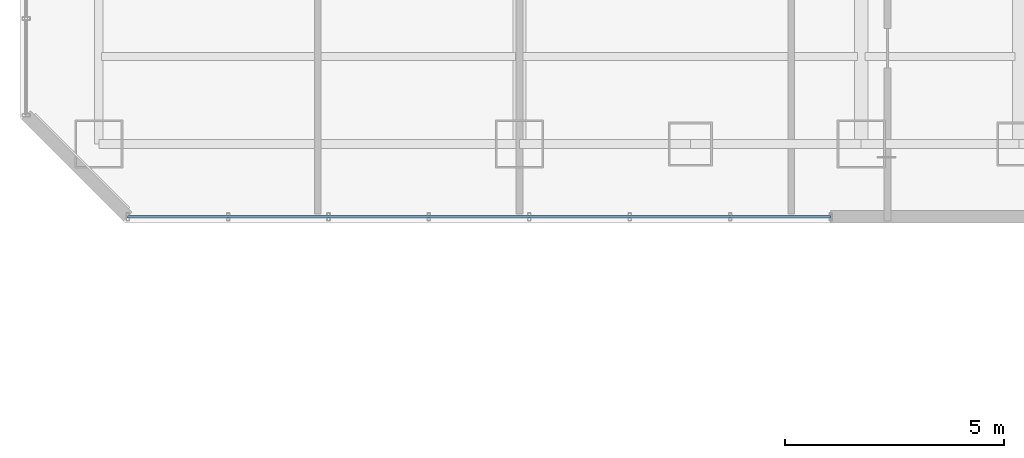
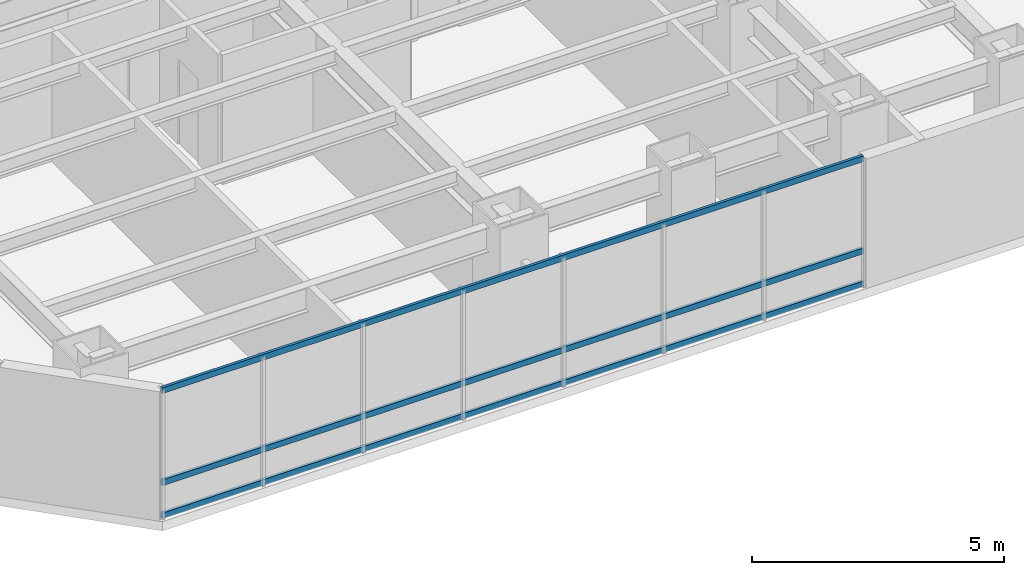
# One storey, part 3 of 37: 3 members, 1 element without a shape of its own.
"""IFC4 building model written with IfcOpenShell, lengths in metres."""

from ifc_helpers import new_model, si_unit, direction, frame, origin, origin_2d, place, context, subcontext, project, spatial, hollow_rectangle, extrude, material, layer, layer_set, material_profile, profile_set, type_object, element, aggregate, save


model = new_model("IFC4")

# Units and contexts
model_context = context("Model", 3, precision=1e-05, world=origin(), true_north=direction((0.0, 1.0)))
body_context = subcontext(model_context, "Body", "Model", "MODEL_VIEW")
ifc_project = project(units=[si_unit("LENGTHUNIT", "METRE"), si_unit("AREAUNIT", "SQUARE_METRE"), si_unit("VOLUMEUNIT", "CUBIC_METRE"), si_unit("PLANEANGLEUNIT", "RADIAN"), si_unit("MASSUNIT", "GRAM", prefix="KILO")], contexts=[model_context])

# Site, building, storey
site_placement = place(None, origin())
site = spatial("IfcSite", under=ifc_project, at=site_placement, CompositionType="ELEMENT")
building_placement = place(site_placement, origin())
building = spatial("IfcBuilding", under=site, at=building_placement, Name="Hatsunagi Terrace Concourse", CompositionType="ELEMENT")
storey_placement = place(building_placement, frame((0.0, 0.0, 50.0)))
storey = spatial("IfcBuildingStorey", under=building, at=storey_placement, Name="L12", CompositionType="ELEMENT", Elevation=50.0)

# Curtain wall, members
ifc_material_1 = material(Name="Anodised Aluminium Alloy 6063-T5", Category="aluminium")
ifc_layer = layer(ifc_material_1, 0.199951171875)
ifc_layer_set = layer_set([ifc_layer], Name="HotelFacade_CW02")
curtain_wall_type = type_object("IfcCurtainWallType", Name="HotelFacade_CW02", PredefinedType="NOTDEFINED", material=ifc_layer_set)
curtain_wall_placement = place(storey_placement, origin())
curtain_wall = element("IfcCurtainWall", 1, at=curtain_wall_placement, inside=storey, type_object=curtain_wall_type, Name="Unitised Curtain Wall CW-02 CW-L12-07", PredefinedType="NOTDEFINED")
ifc_material_2 = material(Name="Anodised Aluminium Alloy 6063-T5", Category="aluminium")
ifc_material_profile = material_profile(ifc_material_2, hollow_rectangle(XDim=0.06494140625, YDim=0.139892578125, WallThickness=0.00390625, at=origin_2d()), Name="ALU-TRN-140x65x4")
ifc_profile_set = profile_set([ifc_material_profile], Name="Anodised Aluminium Alloy 6063-T5")
member_type = type_object("IfcMemberType", Name="CurtainWallTransom_140x65", PredefinedType="USERDEFINED", material=ifc_profile_set)
member_1_placement = place(storey_placement, frame((18.5, 23.5400390625, 0.050048828125), z_axis=(-1.0, 0.0, 0.0), x_axis=(0.0, -1.0, 0.0)))
member_1 = element("IfcMember", 2, at=member_1_placement, type_object=member_type, Name="Curtain Wall Transom TRN-02", ObjectType="TRANSOM", PredefinedType="USERDEFINED", context=body_context, shape_type="SweptSolid", body=[
    extrude(hollow_rectangle(XDim=0.06494140625, YDim=0.139892578125, WallThickness=0.00390625, at=origin_2d()), origin(), (0.0, 0.0, 1.0), 16.0419921875),
])
member_2_placement = place(storey_placement, frame((18.5, 23.5400390625, 0.85009765625), z_axis=(-1.0, 0.0, 0.0), x_axis=(0.0, -1.0, 0.0)))
member_2 = element("IfcMember", 3, at=member_2_placement, type_object=member_type, Name="Curtain Wall Transom TRN-02", ObjectType="TRANSOM", PredefinedType="USERDEFINED", context=body_context, shape_type="SweptSolid", body=[
    extrude(hollow_rectangle(XDim=0.06494140625, YDim=0.139892578125, WallThickness=0.00390625, at=origin_2d()), origin(), (0.0, 0.0, 1.0), 16.0419921875),
])
member_3_placement = place(storey_placement, frame((18.5, 23.5400390625, 3.080078125), z_axis=(-1.0, 0.0, 0.0), x_axis=(0.0, -1.0, 0.0)))
member_3 = element("IfcMember", 4, at=member_3_placement, type_object=member_type, Name="Curtain Wall Transom TRN-02", ObjectType="TRANSOM", PredefinedType="USERDEFINED", context=body_context, shape_type="SweptSolid", body=[
    extrude(hollow_rectangle(XDim=0.06494140625, YDim=0.139892578125, WallThickness=0.00390625, at=origin_2d()), origin(), (0.0, 0.0, 1.0), 16.0419921875),
])
aggregate(curtain_wall, [member_1, member_2, member_3])

save(model, "model.ifc")
